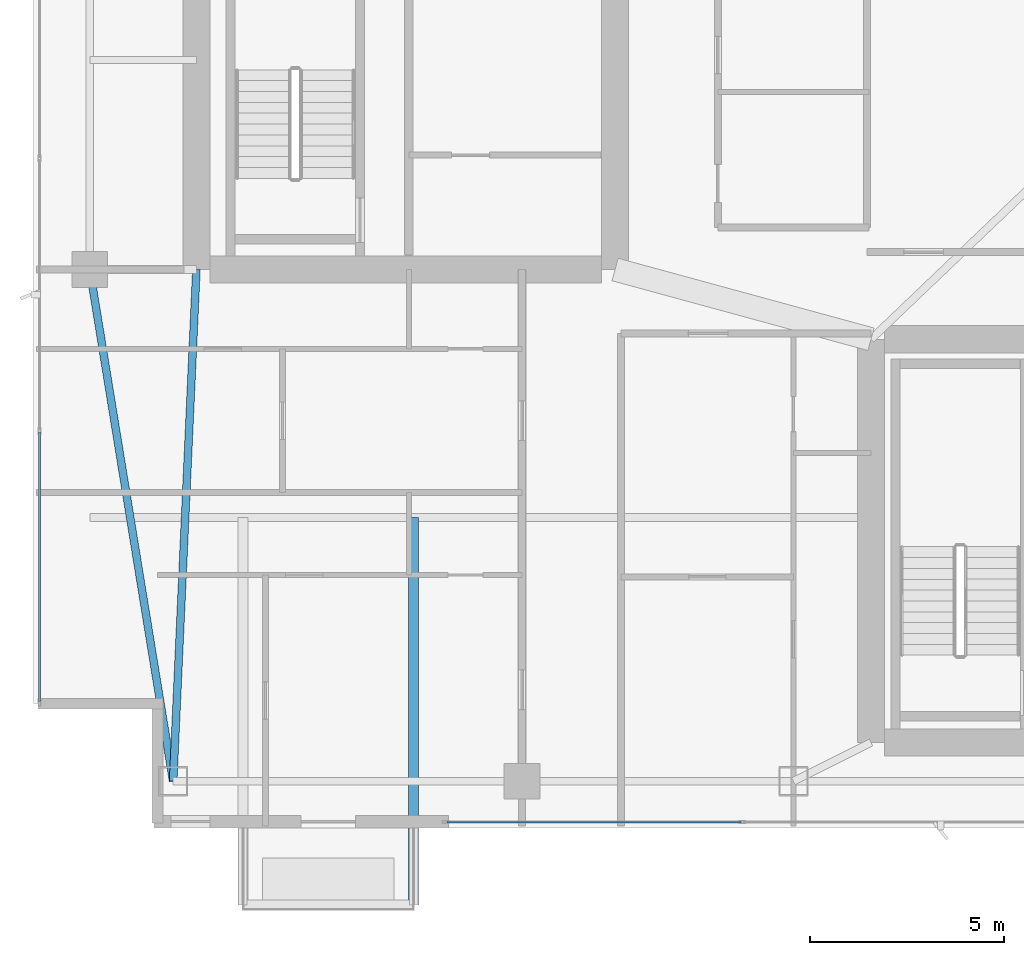
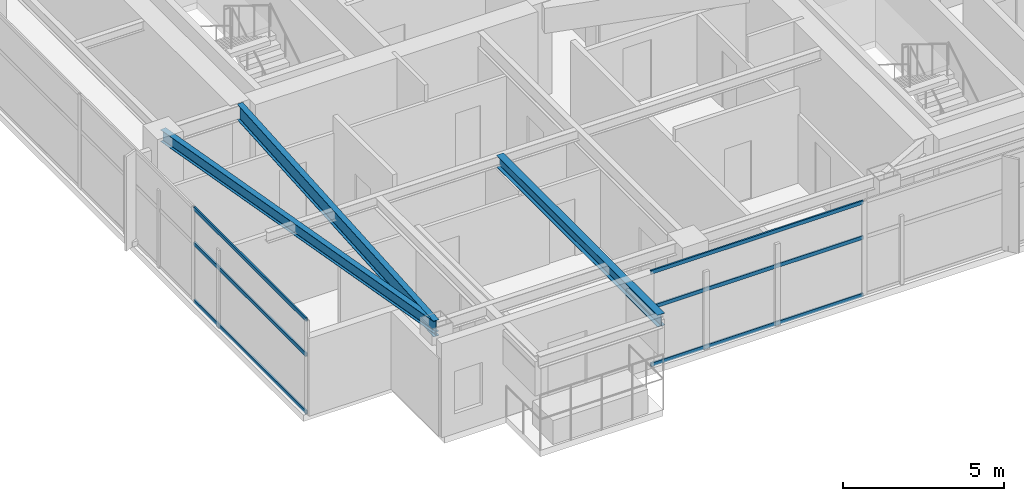
# One storey, part 3 of 29: 6 members, 3 beams, 2 elements without a shape of their own.
"""IFC4 building model written with IfcOpenShell, lengths in metres."""

from ifc_helpers import new_model, si_unit, direction, frame, origin, origin_2d, place, context, subcontext, project, spatial, hollow_rectangle, i_section, extrude, material, layer, layer_set, material_profile, profile_set, type_object, element, aggregate, save


model = new_model("IFC4")

# Units and contexts
model_context = context("Model", 3, precision=1e-05, world=origin(), true_north=direction((0.0, 1.0)))
body_context = subcontext(model_context, "Body", "Model", "MODEL_VIEW")
ifc_project = project(units=[si_unit("LENGTHUNIT", "METRE"), si_unit("AREAUNIT", "SQUARE_METRE"), si_unit("VOLUMEUNIT", "CUBIC_METRE"), si_unit("PLANEANGLEUNIT", "RADIAN"), si_unit("MASSUNIT", "GRAM", prefix="KILO")], contexts=[model_context])

# Site, building, storey
site_placement = place(None, origin())
site = spatial("IfcSite", under=ifc_project, at=site_placement, CompositionType="ELEMENT")
building_placement = place(site_placement, origin())
building = spatial("IfcBuilding", under=site, at=building_placement, Name="Calvorn Quay Hotel", CompositionType="ELEMENT")
storey_placement = place(building_placement, frame((0.0, 0.0, 211.0)))
storey = spatial("IfcBuildingStorey", under=building, at=storey_placement, Name="L52", CompositionType="ELEMENT", Elevation=211.0)

# Beams
ifc_material_1 = material(Name="Steel Q355B", Category="steel")
ifc_material_profile_1 = material_profile(ifc_material_1, i_section(OverallWidth=0.25, OverallDepth=0.449951171875, WebThickness=0.011962890625, FlangeThickness=0.01611328125, FilletRadius=0.01611328125, at=origin_2d()), Name="HN450x250x12x16")
ifc_profile_set_1 = profile_set([ifc_material_profile_1], Name="Steel Q355B")
beam_type_1 = type_object("IfcBeamType", Name="BM-CANT-BALC", PredefinedType="BEAM", material=ifc_profile_set_1)
beam_1_placement = place(storey_placement, frame((9.800048828125, 10.39990234375, 3.31494140625), z_axis=(0.0, -1.0, 0.0), x_axis=(1.0, 0.0, 0.0)))
element("IfcBeam", 1, at=beam_1_placement, inside=storey, type_object=beam_type_1, Name="Cantilever Balcony Beam BCB-L53-2B", PredefinedType="BEAM", context=body_context, shape_type="SweptSolid", body=[
    extrude(i_section(OverallWidth=0.25, OverallDepth=0.449951171875, WebThickness=0.011962890625, FlangeThickness=0.01611328125, FilletRadius=0.01611328125, at=origin_2d()), origin(), (0.0, 0.0, 1.0), 9.989990234375),
])
ifc_material_2 = material(Name="Steel Q355B", Category="steel")
ifc_material_profile_2 = material_profile(ifc_material_2, i_section(OverallWidth=0.199951171875, OverallDepth=0.60009765625, WebThickness=0.010986328125, FlangeThickness=0.01708984375, FilletRadius=0.01806640625, at=origin_2d()), Name="HN600x200x11x17")
ifc_profile_set_2 = profile_set([ifc_material_profile_2], Name="Steel Q355B")
beam_type_2 = type_object("IfcBeamType", Name="BM-GIRD-TYP", PredefinedType="BEAM", material=ifc_profile_set_2)
beam_2_placement = place(storey_placement, frame((3.60009765625, 3.60009765625, 3.239990234375), z_axis=(0.045396765494, 0.998969035397, 0.0), x_axis=(-0.998969035397, 0.045396765494, 0.0)))
element("IfcBeam", 2, at=beam_2_placement, inside=storey, type_object=beam_type_2, Name="Beam BG-L52-W0", PredefinedType="BEAM", context=body_context, shape_type="SweptSolid", body=[
    extrude(i_section(OverallWidth=0.199951171875, OverallDepth=0.60009765625, WebThickness=0.010986328125, FlangeThickness=0.01708984375, FilletRadius=0.01806640625, at=origin_2d()), origin(), (0.0, 0.0, 1.0), 13.213623046875),
])
ifc_material_3 = material(Name="Steel Q355B", Category="steel")
ifc_material_profile_3 = material_profile(ifc_material_3, i_section(OverallWidth=0.199951171875, OverallDepth=0.449951171875, WebThickness=0.009033203125, FlangeThickness=0.013916015625, FilletRadius=0.01611328125, at=origin_2d()), Name="HN450x200x9x14")
ifc_profile_set_3 = profile_set([ifc_material_profile_3], Name="Steel Q355B")
beam_type_3 = type_object("IfcBeamType", Name="BM-SPANDREL-Z3", PredefinedType="SPANDREL", material=ifc_profile_set_3)
beam_3_placement = place(storey_placement, frame((3.60009765625, 3.60009765625, 3.31494140625), z_axis=(-0.16077155054, 0.986991645627, 0.0), x_axis=(-0.986991645627, -0.16077155054, 0.0)))
element("IfcBeam", 3, at=beam_3_placement, inside=storey, type_object=beam_type_3, Name="Beam BSP-L52-W1", PredefinedType="SPANDREL", context=body_context, shape_type="SweptSolid", body=[
    extrude(i_section(OverallWidth=0.199951171875, OverallDepth=0.449951171875, WebThickness=0.009033203125, FlangeThickness=0.013916015625, FilletRadius=0.01611328125, at=origin_2d()), origin(), (0.0, 0.0, 1.0), 13.3740234375),
])

# Curtain wall, members
ifc_material_4 = material(Name="Champagne Bronze Anodised Aluminium and Low-E Glass", Category="aluminium")
ifc_layer = layer(ifc_material_4, 0.219970703125)
ifc_layer_set = layer_set([ifc_layer], Name="CW-SYS-Z3")
curtain_wall_type = type_object("IfcCurtainWallType", Name="CW-SYS-Z3", PredefinedType="NOTDEFINED", material=ifc_layer_set)
curtain_wall_1_placement = place(storey_placement, origin())
curtain_wall_1 = element("IfcCurtainWall", 4, at=curtain_wall_1_placement, inside=storey, type_object=curtain_wall_type, Name="Tower West Curtain Wall (L52)", PredefinedType="NOTDEFINED")
ifc_material_5 = material(Name="Champagne Bronze Anodised Aluminium 6063-T6", Category="aluminium")
ifc_material_profile_4 = material_profile(ifc_material_5, hollow_rectangle(XDim=0.05810546875, YDim=0.139892578125, WallThickness=0.003173828125, at=origin_2d()), Name="ALU-T140x58x3.2")
ifc_profile_set_4 = profile_set([ifc_material_profile_4], Name="Champagne Bronze Anodised Aluminium 6063-T6")
member_type = type_object("IfcMemberType", Name="CW-SYS-Z3-TRN", PredefinedType="USERDEFINED", material=ifc_profile_set_4)
member_1_placement = place(storey_placement, frame((0.14990234375, 5.659912109375, 0.030029296875), z_axis=(0.0, 1.0, 0.0), x_axis=(-1.0, 0.0, 0.0)))
member_1 = element("IfcMember", 5, at=member_1_placement, type_object=member_type, Name="CW-L52-W transom 1.1", ObjectType="TRANSOM", PredefinedType="USERDEFINED", context=body_context, shape_type="SweptSolid", body=[
    extrude(hollow_rectangle(XDim=0.05810546875, YDim=0.139892578125, WallThickness=0.003173828125, at=origin_2d()), origin(), (0.0, 0.0, 1.0), 6.943359375),
])
member_2_placement = place(storey_placement, frame((0.14990234375, 5.659912109375, 2.199951171875), z_axis=(0.0, 1.0, 0.0), x_axis=(-1.0, 0.0, 0.0)))
member_2 = element("IfcMember", 6, at=member_2_placement, type_object=member_type, Name="CW-L52-W transom 1.2", ObjectType="TRANSOM", PredefinedType="USERDEFINED", context=body_context, shape_type="SweptSolid", body=[
    extrude(hollow_rectangle(XDim=0.05810546875, YDim=0.139892578125, WallThickness=0.003173828125, at=origin_2d()), origin(), (0.0, 0.0, 1.0), 6.943359375),
])
member_3_placement = place(storey_placement, frame((0.14990234375, 5.659912109375, 3.530029296875), z_axis=(0.0, 1.0, 0.0), x_axis=(-1.0, 0.0, 0.0)))
member_3 = element("IfcMember", 7, at=member_3_placement, type_object=member_type, Name="CW-L52-W transom 1.3", ObjectType="TRANSOM", PredefinedType="USERDEFINED", context=body_context, shape_type="SweptSolid", body=[
    extrude(hollow_rectangle(XDim=0.05810546875, YDim=0.139892578125, WallThickness=0.003173828125, at=origin_2d()), origin(), (0.0, 0.0, 1.0), 6.943359375),
])
aggregate(curtain_wall_1, [member_1, member_2, member_3])

curtain_wall_2_placement = place(storey_placement, origin())
curtain_wall_2 = element("IfcCurtainWall", 8, at=curtain_wall_2_placement, inside=storey, type_object=curtain_wall_type, Name="Tower South Waterfront Curtain Wall (L52)", PredefinedType="NOTDEFINED")
member_4_placement = place(storey_placement, frame((10.659912109375, 2.550048828125, 0.030029296875), z_axis=(1.0, 0.0, 0.0), x_axis=(0.0, 1.0, 0.0)))
member_4 = element("IfcMember", 9, at=member_4_placement, type_object=member_type, Name="CW-L52-S transom 1.1", ObjectType="TRANSOM", PredefinedType="USERDEFINED", context=body_context, shape_type="SweptSolid", body=[
    extrude(hollow_rectangle(XDim=0.05810546875, YDim=0.139892578125, WallThickness=0.003173828125, at=origin_2d()), origin(), (0.0, 0.0, 1.0), 7.590087890625),
])
member_5_placement = place(storey_placement, frame((10.659912109375, 2.550048828125, 2.199951171875), z_axis=(1.0, 0.0, 0.0), x_axis=(0.0, 1.0, 0.0)))
member_5 = element("IfcMember", 10, at=member_5_placement, type_object=member_type, Name="CW-L52-S transom 1.2", ObjectType="TRANSOM", PredefinedType="USERDEFINED", context=body_context, shape_type="SweptSolid", body=[
    extrude(hollow_rectangle(XDim=0.05810546875, YDim=0.139892578125, WallThickness=0.003173828125, at=origin_2d()), origin(), (0.0, 0.0, 1.0), 7.590087890625),
])
member_6_placement = place(storey_placement, frame((10.659912109375, 2.550048828125, 3.530029296875), z_axis=(1.0, 0.0, 0.0), x_axis=(0.0, 1.0, 0.0)))
member_6 = element("IfcMember", 11, at=member_6_placement, type_object=member_type, Name="CW-L52-S transom 1.3", ObjectType="TRANSOM", PredefinedType="USERDEFINED", context=body_context, shape_type="SweptSolid", body=[
    extrude(hollow_rectangle(XDim=0.05810546875, YDim=0.139892578125, WallThickness=0.003173828125, at=origin_2d()), origin(), (0.0, 0.0, 1.0), 7.590087890625),
])
aggregate(curtain_wall_2, [member_4, member_5, member_6])

save(model, "model.ifc")
